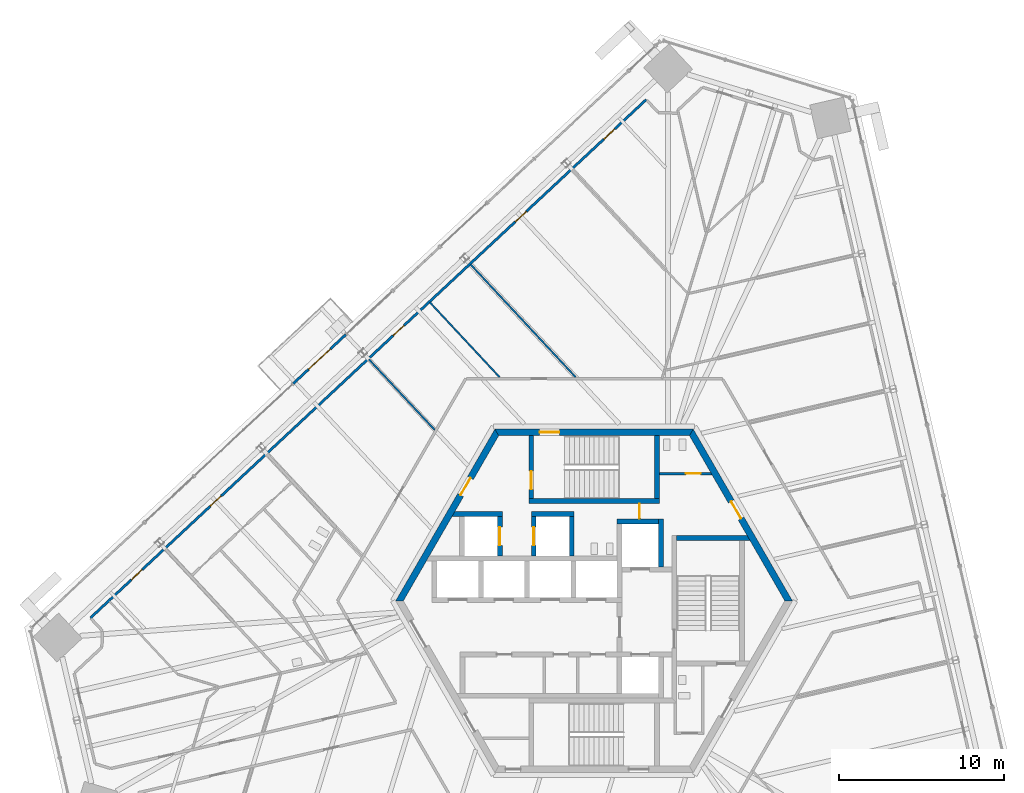
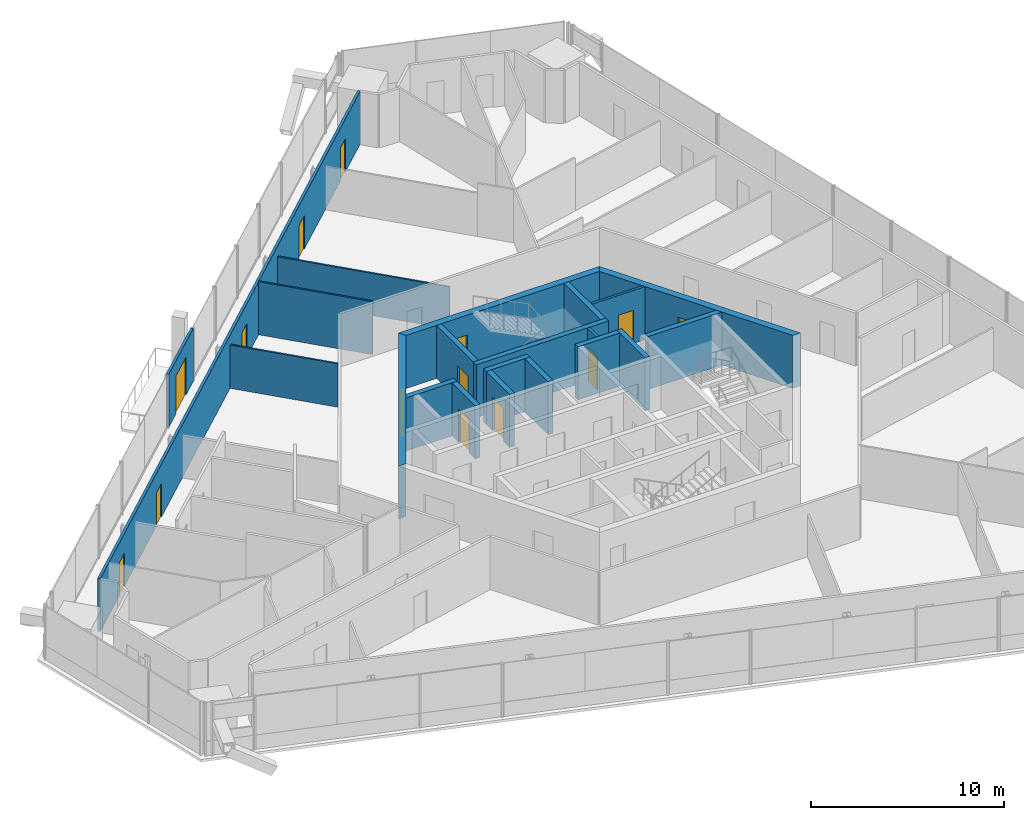
# One storey, part 20 of 25: 21 walls, 14 doors, 14 openings.
"""IFC4 building model written with IfcOpenShell, lengths in metres."""

from ifc_helpers import new_model, si_unit, direction, frame, frame_2d, origin, place, context, subcontext, project, spatial, polyline, rectangle, outline, extrude, source, transform, mapped, material, layer, layer_set, type_object, element, fill, save


model = new_model("IFC4")

# Units and contexts
model_context = context("Model", 3, precision=1e-05, world=origin(), true_north=direction((0.0, 1.0)))
body_context = subcontext(model_context, "Body", "Model", "MODEL_VIEW")
ifc_project = project(units=[si_unit("LENGTHUNIT", "METRE"), si_unit("AREAUNIT", "SQUARE_METRE"), si_unit("VOLUMEUNIT", "CUBIC_METRE"), si_unit("PLANEANGLEUNIT", "RADIAN"), si_unit("MASSUNIT", "GRAM", prefix="KILO")], contexts=[model_context])

# Site, building, storey
site_placement = place(None, origin())
site = spatial("IfcSite", under=ifc_project, at=site_placement, CompositionType="ELEMENT")
building_placement = place(site_placement, origin())
building = spatial("IfcBuilding", under=site, at=building_placement, Name="Triune Harvest Tower", CompositionType="ELEMENT")
storey_placement = place(building_placement, frame((0.0, 0.0, 130.699951171875)))
storey = spatial("IfcBuildingStorey", under=building, at=storey_placement, Name="L33", CompositionType="ELEMENT", Elevation=130.699951171875)

# Walls
ifc_material_1 = material(Name="Gypsum board on steel studs", Category="steel")
ifc_layer_1 = layer(ifc_material_1, 0.10009765625)
ifc_layer_set_1 = layer_set([ifc_layer_1], Name="Gypsum board on steel studs")
wall_type_1 = type_object("IfcWallType", Name="Partition 100 mm", PredefinedType="PARTITIONING", material=ifc_layer_set_1)
wall_1_placement = place(storey_placement, frame((-13.622314453125, 14.608154296875, 0.0), z_axis=(0.0, 0.0, 1.0), x_axis=(0.682001335441, -0.731350927023, 0.0)))
element("IfcWall", 1, at=wall_1_placement, inside=storey, type_object=wall_type_1, Name="Partition L33 019", PredefinedType="PARTITIONING", context=body_context, shape_type="SweptSolid", body=[
    extrude(rectangle(XDim=5.84765625, YDim=0.10009765625, at=frame_2d((2.923828125, 0.0))), origin(), (0.0, 0.0, 1.0), 2.73779296875),
])
wall_2_placement = place(storey_placement, frame((-9.929931640625, 18.051513671875, 0.0), z_axis=(0.0, 0.0, 1.0), x_axis=(0.681973447323, -0.731376932331, 0.0)))
element("IfcWall", 2, at=wall_2_placement, inside=storey, type_object=wall_type_1, Name="Partition L33 022", PredefinedType="PARTITIONING", context=body_context, shape_type="SweptSolid", body=[
    extrude(rectangle(XDim=6.18212890625, YDim=0.10009765625, at=frame_2d((3.091064453125, 0.0))), origin(), (0.0, 0.0, 1.0), 3.35009765625),
])

# Wall, opening, door
ifc_material_2 = material(Name="Aluminium bronze anodised", Category="aluminium")
ifc_layer_2 = layer(ifc_material_2, 0.14990234375)
ifc_layer_set_2 = layer_set([ifc_layer_2], Name="Aluminium bronze anodised")
wall_type_2 = type_object("IfcWallType", Name="WW-2 balcony window wall", PredefinedType="ELEMENTEDWALL", material=ifc_layer_set_2)
wall_3_placement = place(storey_placement, frame((-18.204345703125, 13.138427734375, 0.0), z_axis=(0.0, 0.0, 1.0), x_axis=(0.731351722258, 0.682000482661, 0.0)))
wall_3 = element("IfcWall", 3, at=wall_3_placement, inside=storey, type_object=wall_type_2, Name="WW-2 B3-F3 L33.7", PredefinedType="ELEMENTEDWALL", context=body_context, shape_type="SweptSolid", body=[
    extrude(rectangle(XDim=4.353271484375, YDim=0.14990234375, at=frame_2d((2.1767578125, 0.0))), origin(), (0.0, 0.0, 1.0), 3.35009765625),
])
opening_1_placement = place(wall_3_placement, frame((1.276611328125, 0.0, 0.0)))
opening_1 = element("IfcOpeningElement", 4, at=opening_1_placement, cuts=wall_3, Name="Opening L33-E01", PredefinedType="OPENING", context=body_context, shape_type="SweptSolid", body=[
    extrude(rectangle(XDim=1.800048828125, YDim=2.39990234375, at=frame_2d((0.89990234375, 1.199951171875))), frame((0.0, 0.0849609375, 0.0), z_axis=(0.0, -1.0, 0.0), x_axis=(1.0, 0.0, 0.0)), (0.0, 0.0, 1.0), 0.169921875),
])
ifc_material_3 = material(Name="Glass", Category="glass")
door_type_1 = type_object("IfcDoorType", Name="DB-1 balcony door 1800 x 2400", OperationType="DOUBLE_DOOR_SINGLE_SWING", PredefinedType="DOOR", material=ifc_material_3)
door_1_placement = place(opening_1_placement, origin())
door_1 = element("IfcDoor", 5, at=door_1_placement, inside=storey, type_object=door_type_1, Name="Door L33-E01", OperationType="DOUBLE_DOOR_SINGLE_SWING", OverallHeight=2.39990234375, OverallWidth=1.800048828125, PredefinedType="DOOR", context=body_context, shape_type="SweptSolid", body=[
    extrude(rectangle(XDim=1.800048828125, YDim=2.39990234375, at=frame_2d((0.89990234375, 1.199951171875))), frame((0.0, 0.02490234375, 0.0), z_axis=(0.0, -1.0, 0.0), x_axis=(1.0, 0.0, 0.0)), (0.0, 0.0, 1.0), 0.050048828125),
])
fill(opening_1, door_1)

ifc_material_4 = material(Name="Concrete 70 MPa", Category="concrete")
ifc_layer_3 = layer(ifc_material_4, 0.39990234375)
ifc_layer_set_3 = layer_set([ifc_layer_3], Name="Concrete 70 MPa")
wall_type_3 = type_object("IfcWallType", Name="Core wall 400", PredefinedType="SHEAR", material=ifc_layer_set_3)
shared_shape_1 = source(origin(), body_context, "Body", "SweptSolid", [
    extrude(outline(polyline([(-0.115478515625, -0.199951171875), (11.884521484375, -0.199951171875), (11.653564453125, 0.199951171875), (0.115478515625, 0.199951171875), (-0.115478515625, -0.199951171875)])), origin(), (0.0, 0.0, 1.0), 3.35009765625),
])
wall_4_placement = place(storey_placement, frame((11.76904296875, 0.0, 0.0), z_axis=(0.0, 0.0, 1.0), x_axis=(-0.499996592174, 0.866027371285, 0.0)))
wall_4 = element("IfcWall", 6, at=wall_4_placement, inside=storey, type_object=wall_type_3, Name="Hexagon 0 wall", PredefinedType="SHEAR", context=body_context, shape_type="MappedRepresentation", body=[
    mapped(shared_shape_1, transform((0.0, 0.0, 0.0), scale=1.0)),
])
opening_2_placement = place(wall_4_placement, frame((5.75048828125, 0.0, 0.0)))
opening_2 = element("IfcOpeningElement", 7, at=opening_2_placement, cuts=wall_4, Name="Opening CD-WCP", PredefinedType="OPENING", context=body_context, shape_type="SweptSolid", body=[
    extrude(rectangle(XDim=1.199951171875, YDim=2.10009765625, at=frame_2d((0.60009765625, 1.050048828125))), frame((0.0, 0.2099609375, 0.0), z_axis=(0.0, -1.0, 0.0), x_axis=(1.0, 0.0, 0.0)), (0.0, 0.0, 1.0), 0.419921875),
])
ifc_material_5 = material(Name="Steel S235", Category="steel")
door_type_2 = type_object("IfcDoorType", Name="Lobby door 1200 FD120", OperationType="SINGLE_SWING_LEFT", PredefinedType="DOOR", material=ifc_material_5)
door_2_placement = place(opening_2_placement, frame((1.199951171875, 0.0, 0.0), z_axis=(0.0, 0.0, 1.0), x_axis=(-1.0, 0.0, 0.0)))
door_2 = element("IfcDoor", 8, at=door_2_placement, inside=storey, type_object=door_type_2, Name="Door CD-WCP", OperationType="SINGLE_SWING_RIGHT", OverallHeight=2.10009765625, OverallWidth=1.199951171875, PredefinedType="DOOR", context=body_context, shape_type="SweptSolid", body=[
    extrude(rectangle(XDim=1.199951171875, YDim=2.10009765625, at=frame_2d((0.60009765625, 1.050048828125))), frame((0.0, 0.02490234375, 0.0), z_axis=(0.0, -1.0, 0.0), x_axis=(1.0, 0.0, 0.0)), (0.0, 0.0, 1.0), 0.050048828125),
])
fill(opening_2, door_2)

wall_5_placement = place(storey_placement, frame((5.884521484375, 10.1923828125, 0.0), z_axis=(0.0, 0.0, 1.0), x_axis=(-1.0, 0.0, 0.0)))
wall_5 = element("IfcWall", 9, at=wall_5_placement, inside=storey, type_object=wall_type_3, Name="Hexagon 1 wall", PredefinedType="SHEAR", context=body_context, shape_type="MappedRepresentation", body=[
    mapped(shared_shape_1, transform((0.0, 0.0, 0.0), scale=1.0)),
])
opening_3_placement = place(wall_5_placement, frame((7.984619140625, 0.0, 0.0)))
opening_3 = element("IfcOpeningElement", 10, at=opening_3_placement, cuts=wall_5, Name="Opening CD-S1P", PredefinedType="OPENING", context=body_context, shape_type="SweptSolid", body=[
    extrude(rectangle(XDim=1.199951171875, YDim=2.10009765625, at=frame_2d((0.60009765625, 1.050048828125))), frame((0.0, 0.2099609375, 0.0), z_axis=(0.0, -1.0, 0.0), x_axis=(1.0, 0.0, 0.0)), (0.0, 0.0, 1.0), 0.419921875),
])
ifc_material_6 = material(Name="Steel S235", Category="steel")
door_type_3 = type_object("IfcDoorType", Name="Stair door 1200 FD120", OperationType="SINGLE_SWING_LEFT", PredefinedType="DOOR", material=ifc_material_6)
door_3_placement = place(opening_3_placement, frame((1.199951171875, 0.0, 0.0), z_axis=(0.0, 0.0, 1.0), x_axis=(-1.0, 0.0, 0.0)))
door_3 = element("IfcDoor", 11, at=door_3_placement, inside=storey, type_object=door_type_3, Name="Door CD-S1P", OperationType="SINGLE_SWING_RIGHT", OverallHeight=2.10009765625, OverallWidth=1.199951171875, PredefinedType="DOOR", context=body_context, shape_type="SweptSolid", body=[
    extrude(rectangle(XDim=1.199951171875, YDim=2.10009765625, at=frame_2d((0.60009765625, 1.050048828125))), frame((0.0, 0.02490234375, 0.0), z_axis=(0.0, -1.0, 0.0), x_axis=(1.0, 0.0, 0.0)), (0.0, 0.0, 1.0), 0.050048828125),
])
fill(opening_3, door_3)

wall_6_placement = place(storey_placement, frame((-5.884521484375, 10.1923828125, 0.0), z_axis=(0.0, 0.0, 1.0), x_axis=(-0.499996592174, -0.866027371285, 0.0)))
wall_6 = element("IfcWall", 12, at=wall_6_placement, inside=storey, type_object=wall_type_3, Name="Hexagon 2 wall", PredefinedType="SHEAR", context=body_context, shape_type="MappedRepresentation", body=[
    mapped(shared_shape_1, transform((0.0, 0.0, 0.0), scale=1.0)),
])
opening_4_placement = place(wall_6_placement, frame((3.1845703125, 0.0, 0.0)))
opening_4 = element("IfcOpeningElement", 13, at=opening_4_placement, cuts=wall_6, Name="Opening CD-SVP", PredefinedType="OPENING", context=body_context, shape_type="SweptSolid", body=[
    extrude(rectangle(XDim=1.199951171875, YDim=2.10009765625, at=frame_2d((0.60009765625, 1.050048828125))), frame((0.0, 0.2099609375, 0.0), z_axis=(0.0, -1.0, 0.0), x_axis=(1.0, 0.0, 0.0)), (0.0, 0.0, 1.0), 0.419921875),
])
ifc_material_7 = material(Name="Steel S235", Category="steel")
door_type_4 = type_object("IfcDoorType", Name="Service door 1200 FD120", OperationType="SINGLE_SWING_LEFT", PredefinedType="DOOR", material=ifc_material_7)
door_4_placement = place(opening_4_placement, frame((1.199951171875, 0.0, 0.0), z_axis=(0.0, 0.0, 1.0), x_axis=(-1.0, 0.0, 0.0)))
door_4 = element("IfcDoor", 14, at=door_4_placement, inside=storey, type_object=door_type_4, Name="Door CD-SVP", OperationType="SINGLE_SWING_RIGHT", OverallHeight=2.10009765625, OverallWidth=1.199951171875, PredefinedType="DOOR", context=body_context, shape_type="SweptSolid", body=[
    extrude(rectangle(XDim=1.199951171875, YDim=2.10009765625, at=frame_2d((0.60009765625, 1.050048828125))), frame((0.0, 0.02490234375, 0.0), z_axis=(0.0, -1.0, 0.0), x_axis=(1.0, 0.0, 0.0)), (0.0, 0.0, 1.0), 0.050048828125),
])
fill(opening_4, door_4)

# Walls
ifc_material_8 = material(Name="Concrete 70 MPa", Category="concrete")
ifc_layer_4 = layer(ifc_material_8, 0.300048828125)
ifc_layer_set_4 = layer_set([ifc_layer_4], Name="Concrete 70 MPa")
wall_type_4 = type_object("IfcWallType", Name="Core wall 300", PredefinedType="SHEAR", material=ifc_layer_set_4)
shared_shape_2 = source(origin(), body_context, "Body", "SweptSolid", [
    extrude(rectangle(XDim=2.5, YDim=0.300048828125, at=frame_2d((1.25, 0.0))), origin(), (0.0, 0.0, 1.0), 3.35009765625),
])
wall_7_placement = place(storey_placement, frame((1.39990234375, 4.81005859375, 0.0), z_axis=(0.0, 0.0, 1.0), x_axis=(1.0, 0.0, 0.0)))
element("IfcWall", 15, at=wall_7_placement, inside=storey, type_object=wall_type_4, Name="Ff1 back wall", PredefinedType="SHEAR", context=body_context, shape_type="MappedRepresentation", body=[
    mapped(shared_shape_2, transform((0.0, 0.0, 0.0), scale=1.0)),
])
shared_shape_3 = source(origin(), body_context, "Body", "SweptSolid", [
    extrude(rectangle(XDim=2.89990234375, YDim=0.300048828125, at=frame_2d((1.449951171875, 0.0))), origin(), (0.0, 0.0, 1.0), 3.35009765625),
])
wall_8_placement = place(storey_placement, frame((4.050048828125, 2.06005859375, 0.0), z_axis=(0.0, 0.0, 1.0), x_axis=(0.0, 1.0, 0.0)))
element("IfcWall", 16, at=wall_8_placement, inside=storey, type_object=wall_type_4, Name="Ff1 east wall", PredefinedType="SHEAR", context=body_context, shape_type="MappedRepresentation", body=[
    mapped(shared_shape_3, transform((0.0, 0.0, 0.0), scale=1.0)),
])
shared_shape_4 = source(origin(), body_context, "Body", "SweptSolid", [
    extrude(outline(polyline([(0.0, -0.14990234375), (0.0, 0.14990234375), (4.260009765625, 0.14990234375), (4.43310546875, -0.14990234375), (0.0, -0.14990234375)])), origin(), (0.0, 0.0, 1.0), 3.35009765625),
])
wall_9_placement = place(storey_placement, frame((5.0, 3.800048828125, 0.0), z_axis=(0.0, 0.0, 1.0), x_axis=(1.0, 0.0, 0.0)))
element("IfcWall", 17, at=wall_9_placement, inside=storey, type_object=wall_type_4, Name="Stair e north wall", PredefinedType="SHEAR", context=body_context, shape_type="MappedRepresentation", body=[
    mapped(shared_shape_4, transform((0.0, 0.0, 0.0), scale=1.0)),
])
shared_shape_5 = source(origin(), body_context, "Body", "SweptSolid", [
    extrude(rectangle(XDim=7.89990234375, YDim=0.300048828125, at=frame_2d((3.949951171875, 0.0))), origin(), (0.0, 0.0, 1.0), 3.35009765625),
])
wall_10_placement = place(storey_placement, frame((-3.949951171875, 6.0400390625, 0.0), z_axis=(0.0, 0.0, 1.0), x_axis=(1.0, 0.0, 0.0)))
element("IfcWall", 18, at=wall_10_placement, inside=storey, type_object=wall_type_4, Name="Stair n south wall", PredefinedType="SHEAR", context=body_context, shape_type="MappedRepresentation", body=[
    mapped(shared_shape_5, transform((0.0, 0.0, 0.0), scale=1.0)),
])

# Wall, opening, door
shared_shape_6 = source(origin(), body_context, "Body", "SweptSolid", [
    extrude(outline(polyline([(0.0, -0.14990234375), (0.0, 0.14990234375), (3.80419921875, 0.14990234375), (3.80419921875, -0.14990234375), (0.0, -0.14990234375)])), origin(), (0.0, 0.0, 1.0), 3.35009765625),
])
wall_11_placement = place(storey_placement, frame((-3.800048828125, 6.18994140625, 0.0), z_axis=(0.0, 0.0, 1.0), x_axis=(0.0, 1.0, 0.0)))
wall_11 = element("IfcWall", 19, at=wall_11_placement, inside=storey, type_object=wall_type_4, Name="Stair n west wall", PredefinedType="SHEAR", context=body_context, shape_type="MappedRepresentation", body=[
    mapped(shared_shape_6, transform((0.0, 0.0, 0.0), scale=1.0)),
])
opening_5_placement = place(wall_11_placement, frame((0.56005859375, 0.0, 0.0)))
opening_5 = element("IfcOpeningElement", 20, at=opening_5_placement, cuts=wall_11, Name="Opening CD-S1L", PredefinedType="OPENING", context=body_context, shape_type="SweptSolid", body=[
    extrude(rectangle(XDim=1.10009765625, YDim=2.10009765625, at=frame_2d((0.550048828125, 1.050048828125))), frame((0.0, 0.16015625, 0.0), z_axis=(0.0, -1.0, 0.0), x_axis=(1.0, 0.0, 0.0)), (0.0, 0.0, 1.0), 0.320068359375),
])
ifc_material_9 = material(Name="Steel S235", Category="steel")
door_type_5 = type_object("IfcDoorType", Name="Stair door 1100 FD120", OperationType="SINGLE_SWING_LEFT", PredefinedType="DOOR", material=ifc_material_9)
door_5_placement = place(opening_5_placement, frame((1.10009765625, 0.0, 0.0), z_axis=(0.0, 0.0, 1.0), x_axis=(-1.0, 0.0, 0.0)))
door_5 = element("IfcDoor", 21, at=door_5_placement, inside=storey, type_object=door_type_5, Name="Door CD-S1L", OperationType="SINGLE_SWING_RIGHT", OverallHeight=2.10009765625, OverallWidth=1.10009765625, PredefinedType="DOOR", context=body_context, shape_type="SweptSolid", body=[
    extrude(rectangle(XDim=1.10009765625, YDim=2.10009765625, at=frame_2d((0.550048828125, 1.050048828125))), frame((0.0, 0.02490234375, 0.0), z_axis=(0.0, -1.0, 0.0), x_axis=(1.0, 0.0, 0.0)), (0.0, 0.0, 1.0), 0.050048828125),
])
fill(opening_5, door_5)

# Walls
wall_12_placement = place(storey_placement, frame((3.800048828125, 6.18994140625, 0.0), z_axis=(0.0, 0.0, 1.0), x_axis=(0.0, 1.0, 0.0)))
element("IfcWall", 22, at=wall_12_placement, inside=storey, type_object=wall_type_4, Name="Stair n east wall", PredefinedType="SHEAR", context=body_context, shape_type="MappedRepresentation", body=[
    mapped(shared_shape_6, transform((0.0, 0.0, 0.0), scale=1.0)),
])
shared_shape_7 = source(origin(), body_context, "Body", "SweptSolid", [
    extrude(outline(polyline([(2.60009765625, -0.14990234375), (-0.440185546875, -0.14990234375), (-0.26708984375, 0.14990234375), (2.60009765625, 0.14990234375), (2.60009765625, -0.14990234375)])), origin(), (0.0, 0.0, 1.0), 3.35009765625),
])
wall_13_placement = place(storey_placement, frame((-8.14990234375, 5.260009765625, 0.0), z_axis=(0.0, 0.0, 1.0), x_axis=(1.0, 0.0, 0.0)))
element("IfcWall", 23, at=wall_13_placement, inside=storey, type_object=wall_type_4, Name="Sv1 north wall", PredefinedType="SHEAR", context=body_context, shape_type="MappedRepresentation", body=[
    mapped(shared_shape_7, transform((0.0, 0.0, 0.0), scale=1.0)),
])

# Wall, opening, door
shared_shape_8 = source(origin(), body_context, "Body", "SweptSolid", [
    extrude(rectangle(XDim=2.400146484375, YDim=0.300048828125, at=frame_2d((1.2001953125, 0.0))), origin(), (0.0, 0.0, 1.0), 3.35009765625),
])
wall_14_placement = place(storey_placement, frame((-5.699951171875, 2.7099609375, 0.0), z_axis=(0.0, 0.0, 1.0), x_axis=(0.0, 1.0, 0.0)))
wall_14 = element("IfcWall", 24, at=wall_14_placement, inside=storey, type_object=wall_type_4, Name="Sv1 east wall", PredefinedType="SHEAR", context=body_context, shape_type="MappedRepresentation", body=[
    mapped(shared_shape_8, transform((0.0, 0.0, 0.0), scale=1.0)),
])
opening_6_placement = place(wall_14_placement, frame((0.64990234375, 0.0, 0.0)))
opening_6 = element("IfcOpeningElement", 25, at=opening_6_placement, cuts=wall_14, Name="Opening LD-SV1-33", PredefinedType="OPENING", context=body_context, shape_type="SweptSolid", body=[
    extrude(rectangle(XDim=1.10009765625, YDim=2.10009765625, at=frame_2d((0.550048828125, 1.050048828125))), frame((0.0, 0.16015625, 0.0), z_axis=(0.0, -1.0, 0.0), x_axis=(1.0, 0.0, 0.0)), (0.0, 0.0, 1.0), 0.320068359375),
])
ifc_material_10 = material(Name="Stainless steel AISI 304", Category="steel")
door_type_6 = type_object("IfcDoorType", Name="Landing door 1100 x 2100", OperationType="DOUBLE_DOOR_SLIDING", PredefinedType="DOOR", material=ifc_material_10)
door_6_placement = place(opening_6_placement, origin())
door_6 = element("IfcDoor", 26, at=door_6_placement, inside=storey, type_object=door_type_6, Name="Door LD-SV1-33", OperationType="DOUBLE_DOOR_SLIDING", OverallHeight=2.10009765625, OverallWidth=1.10009765625, PredefinedType="DOOR", context=body_context, shape_type="SweptSolid", body=[
    extrude(rectangle(XDim=1.10009765625, YDim=2.10009765625, at=frame_2d((0.550048828125, 1.050048828125))), frame((0.0, 0.02490234375, 0.0), z_axis=(0.0, -1.0, 0.0), x_axis=(1.0, 0.0, 0.0)), (0.0, 0.0, 1.0), 0.050048828125),
])
fill(opening_6, door_6)

wall_15_placement = place(storey_placement, frame((-3.64990234375, 2.7099609375, 0.0), z_axis=(0.0, 0.0, 1.0), x_axis=(0.0, 1.0, 0.0)))
wall_15 = element("IfcWall", 27, at=wall_15_placement, inside=storey, type_object=wall_type_4, Name="Sv2 west wall", PredefinedType="SHEAR", context=body_context, shape_type="MappedRepresentation", body=[
    mapped(shared_shape_8, transform((0.0, 0.0, 0.0), scale=1.0)),
])
opening_7_placement = place(wall_15_placement, frame((0.64990234375, 0.0, 0.0)))
opening_7 = element("IfcOpeningElement", 28, at=opening_7_placement, cuts=wall_15, Name="Opening LD-SV2-33", PredefinedType="OPENING", context=body_context, shape_type="SweptSolid", body=[
    extrude(rectangle(XDim=1.10009765625, YDim=2.10009765625, at=frame_2d((0.550048828125, 1.050048828125))), frame((0.0, 0.16015625, 0.0), z_axis=(0.0, -1.0, 0.0), x_axis=(1.0, 0.0, 0.0)), (0.0, 0.0, 1.0), 0.320068359375),
])
door_7_placement = place(opening_7_placement, origin())
door_7 = element("IfcDoor", 29, at=door_7_placement, inside=storey, type_object=door_type_6, Name="Door LD-SV2-33", OperationType="DOUBLE_DOOR_SLIDING", OverallHeight=2.10009765625, OverallWidth=1.10009765625, PredefinedType="DOOR", context=body_context, shape_type="SweptSolid", body=[
    extrude(rectangle(XDim=1.10009765625, YDim=2.10009765625, at=frame_2d((0.550048828125, 1.050048828125))), frame((0.0, 0.02490234375, 0.0), z_axis=(0.0, -1.0, 0.0), x_axis=(1.0, 0.0, 0.0)), (0.0, 0.0, 1.0), 0.050048828125),
])
fill(opening_7, door_7)

# Walls
wall_16_placement = place(storey_placement, frame((-1.35009765625, 2.7099609375, 0.0), z_axis=(0.0, 0.0, 1.0), x_axis=(0.0, 1.0, 0.0)))
element("IfcWall", 30, at=wall_16_placement, inside=storey, type_object=wall_type_4, Name="Sv2 east wall", PredefinedType="SHEAR", context=body_context, shape_type="MappedRepresentation", body=[
    mapped(shared_shape_8, transform((0.0, 0.0, 0.0), scale=1.0)),
])
shared_shape_9 = source(origin(), body_context, "Body", "SweptSolid", [
    extrude(rectangle(XDim=2.60009765625, YDim=0.300048828125, at=frame_2d((1.300048828125, 0.0))), origin(), (0.0, 0.0, 1.0), 3.35009765625),
])
wall_17_placement = place(storey_placement, frame((-3.800048828125, 5.260009765625, 0.0), z_axis=(0.0, 0.0, 1.0), x_axis=(1.0, 0.0, 0.0)))
element("IfcWall", 31, at=wall_17_placement, inside=storey, type_object=wall_type_4, Name="Sv2 north wall", PredefinedType="SHEAR", context=body_context, shape_type="MappedRepresentation", body=[
    mapped(shared_shape_9, transform((0.0, 0.0, 0.0), scale=1.0)),
])

# Wall, opening, door
ifc_material_11 = material(Name="Concrete masonry unit", Category="masonry")
ifc_layer_5 = layer(ifc_material_11, 0.14990234375)
ifc_layer_set_5 = layer_set([ifc_layer_5], Name="Concrete masonry unit")
wall_type_5 = type_object("IfcWallType", Name="Block partition 150 unrated", PredefinedType="PARTITIONING", material=ifc_layer_set_5)
shared_shape_10 = source(origin(), body_context, "Body", "SweptSolid", [
    extrude(outline(polyline([(0.0, -0.074951171875), (0.0, 0.074951171875), (3.1015625, 0.074951171875), (3.18798828125, -0.074951171875), (0.0, -0.074951171875)])), origin(), (0.0, 0.0, 1.0), 3.35009765625),
])
wall_18_placement = place(storey_placement, frame((3.949951171875, 7.699951171875, 0.0), z_axis=(0.0, 0.0, 1.0), x_axis=(1.0, 0.0, 0.0)))
wall_18 = element("IfcWall", 32, at=wall_18_placement, inside=storey, type_object=wall_type_5, Name="Wc women south wall", PredefinedType="PARTITIONING", context=body_context, shape_type="MappedRepresentation", body=[
    mapped(shared_shape_10, transform((0.0, 0.0, 0.0), scale=1.0)),
])
opening_8_placement = place(wall_18_placement, frame((1.60009765625, 0.0, 0.0)))
opening_8 = element("IfcOpeningElement", 33, at=opening_8_placement, cuts=wall_18, Name="Opening CD-WW", PredefinedType="OPENING", context=body_context, shape_type="SweptSolid", body=[
    extrude(rectangle(XDim=0.89990234375, YDim=2.10009765625, at=frame_2d((0.449951171875, 1.050048828125))), frame((0.0, 0.0849609375, 0.0), z_axis=(0.0, -1.0, 0.0), x_axis=(1.0, 0.0, 0.0)), (0.0, 0.0, 1.0), 0.169921875),
])
ifc_material_12 = material(Name="Timber C24", Category="wood")
door_type_7 = type_object("IfcDoorType", Name="WC door 900", OperationType="SINGLE_SWING_LEFT", PredefinedType="DOOR", material=ifc_material_12)
door_8_placement = place(opening_8_placement, origin())
door_8 = element("IfcDoor", 34, at=door_8_placement, inside=storey, type_object=door_type_7, Name="Door CD-WW", OperationType="SINGLE_SWING_LEFT", OverallHeight=2.10009765625, OverallWidth=0.89990234375, PredefinedType="DOOR", context=body_context, shape_type="SweptSolid", body=[
    extrude(rectangle(XDim=0.89990234375, YDim=2.10009765625, at=frame_2d((0.449951171875, 1.050048828125))), frame((0.0, 0.02490234375, 0.0), z_axis=(0.0, -1.0, 0.0), x_axis=(1.0, 0.0, 0.0)), (0.0, 0.0, 1.0), 0.050048828125),
])
fill(opening_8, door_8)

shared_shape_11 = source(origin(), body_context, "Body", "SweptSolid", [
    extrude(rectangle(XDim=0.929931640625, YDim=0.14990234375, at=frame_2d((0.46484375, 0.0))), origin(), (0.0, 0.0, 1.0), 3.35009765625),
])
wall_19_placement = place(storey_placement, frame((2.75, 4.9599609375, 0.0), z_axis=(0.0, 0.0, 1.0), x_axis=(0.0, 1.0, 0.0)))
wall_19 = element("IfcWall", 35, at=wall_19_placement, inside=storey, type_object=wall_type_5, Name="Wc men east b wall", PredefinedType="PARTITIONING", context=body_context, shape_type="MappedRepresentation", body=[
    mapped(shared_shape_11, transform((0.0, 0.0, 0.0), scale=1.0)),
])
opening_9_placement = place(wall_19_placement, frame((0.014892578125, 0.0, 0.0)))
opening_9 = element("IfcOpeningElement", 36, at=opening_9_placement, cuts=wall_19, Name="Opening CD-WM", PredefinedType="OPENING", context=body_context, shape_type="SweptSolid", body=[
    extrude(rectangle(XDim=0.89990234375, YDim=2.10009765625, at=frame_2d((0.449951171875, 1.050048828125))), frame((0.0, 0.0849609375, 0.0), z_axis=(0.0, -1.0, 0.0), x_axis=(1.0, 0.0, 0.0)), (0.0, 0.0, 1.0), 0.169921875),
])
door_9_placement = place(opening_9_placement, origin())
door_9 = element("IfcDoor", 37, at=door_9_placement, inside=storey, type_object=door_type_7, Name="Door CD-WM", OperationType="SINGLE_SWING_LEFT", OverallHeight=2.10009765625, OverallWidth=0.89990234375, PredefinedType="DOOR", context=body_context, shape_type="SweptSolid", body=[
    extrude(rectangle(XDim=0.89990234375, YDim=2.10009765625, at=frame_2d((0.449951171875, 1.050048828125))), frame((0.0, 0.02490234375, 0.0), z_axis=(0.0, -1.0, 0.0), x_axis=(1.0, 0.0, 0.0)), (0.0, 0.0, 1.0), 0.050048828125),
])
fill(opening_9, door_9)

# Wall
shared_shape_12 = source(origin(), body_context, "Body", "SweptSolid", [
    extrude(rectangle(XDim=9.320556640625, YDim=0.10009765625, at=frame_2d((4.66015625, 0.0))), origin(), (0.0, 0.0, 1.0), 2.666748046875),
])
wall_20_placement = place(storey_placement, frame((-7.468505859375, 20.3466796875, 0.0), z_axis=(0.0, 0.0, 1.0), x_axis=(0.682001810527, -0.731350483993, 0.0)))
element("IfcWall", 38, at=wall_20_placement, inside=storey, type_object=wall_type_1, Name="Partition L33 023", PredefinedType="PARTITIONING", context=body_context, shape_type="MappedRepresentation", body=[
    mapped(shared_shape_12, transform((0.0, 0.0, 0.0), scale=1.0)),
])

# Wall, openings, doors
ifc_material_13 = material(Name="Gypsum board on steel studs", Category="steel")
ifc_layer_6 = layer(ifc_material_13, 0.14990234375)
ifc_layer_set_6 = layer_set([ifc_layer_6], Name="Gypsum board on steel studs")
wall_type_6 = type_object("IfcWallType", Name="Fire Partition 150 mm", PredefinedType="PARTITIONING", material=ifc_layer_set_6)
shared_shape_13 = source(origin(), body_context, "Body", "SweptSolid", [
    extrude(rectangle(XDim=45.9765625, YDim=0.14990234375, at=frame_2d((22.98828125, 0.0))), origin(), (0.0, 0.0, 1.0), 3.35009765625),
])
wall_21_placement = place(storey_placement, frame((-30.468994140625, -1.033203125, 0.0), z_axis=(0.0, 0.0, 1.0), x_axis=(0.731349563946, 0.682002797147, 0.0)))
wall_21 = element("IfcWall", 39, at=wall_21_placement, inside=storey, type_object=wall_type_6, Name="Partition L33 060", PredefinedType="PARTITIONING", context=body_context, shape_type="MappedRepresentation", body=[
    mapped(shared_shape_13, transform((0.0, 0.0, 0.0), scale=1.0)),
])
opening_10_placement = place(wall_21_placement, frame((42.467041015625, 0.0, 0.0)))
opening_10 = element("IfcOpeningElement", 40, at=opening_10_placement, cuts=wall_21, Name="Opening L33-012", PredefinedType="OPENING", context=body_context, shape_type="SweptSolid", body=[
    extrude(rectangle(XDim=0.89990234375, YDim=2.10009765625, at=frame_2d((0.449951171875, 1.050048828125))), frame((0.0, 0.0849609375, 0.0), z_axis=(0.0, -1.0, 0.0), x_axis=(1.0, 0.0, 0.0)), (0.0, 0.0, 1.0), 0.169921875),
])
opening_11_placement = place(wall_21_placement, frame((35.152587890625, 0.0, 0.0)))
opening_11 = element("IfcOpeningElement", 41, at=opening_11_placement, cuts=wall_21, Name="Opening L33-013", PredefinedType="OPENING", context=body_context, shape_type="SweptSolid", body=[
    extrude(rectangle(XDim=0.89990234375, YDim=2.10009765625, at=frame_2d((0.449951171875, 1.050048828125))), frame((0.0, 0.0849609375, 0.0), z_axis=(0.0, -1.0, 0.0), x_axis=(1.0, 0.0, 0.0)), (0.0, 0.0, 1.0), 0.169921875),
])
opening_12_placement = place(wall_21_placement, frame((25.0380859375, 0.0, 0.0)))
opening_12 = element("IfcOpeningElement", 42, at=opening_12_placement, cuts=wall_21, Name="Opening L33-014", PredefinedType="OPENING", context=body_context, shape_type="SweptSolid", body=[
    extrude(rectangle(XDim=0.89990234375, YDim=2.10009765625, at=frame_2d((0.449951171875, 1.050048828125))), frame((0.0, 0.0849609375, 0.0), z_axis=(0.0, -1.0, 0.0), x_axis=(1.0, 0.0, 0.0)), (0.0, 0.0, 1.0), 0.169921875),
])
opening_13_placement = place(wall_21_placement, frame((9.9091796875, 0.0, 0.0)))
opening_13 = element("IfcOpeningElement", 43, at=opening_13_placement, cuts=wall_21, Name="Opening L33-017", PredefinedType="OPENING", context=body_context, shape_type="SweptSolid", body=[
    extrude(rectangle(XDim=0.89990234375, YDim=2.10009765625, at=frame_2d((0.449951171875, 1.050048828125))), frame((0.0, 0.0849609375, 0.0), z_axis=(0.0, -1.0, 0.0), x_axis=(1.0, 0.0, 0.0)), (0.0, 0.0, 1.0), 0.169921875),
])
opening_14_placement = place(wall_21_placement, frame((3.38134765625, 0.0, 0.0)))
opening_14 = element("IfcOpeningElement", 44, at=opening_14_placement, cuts=wall_21, Name="Opening L33-022", PredefinedType="OPENING", context=body_context, shape_type="SweptSolid", body=[
    extrude(rectangle(XDim=0.89990234375, YDim=2.10009765625, at=frame_2d((0.449951171875, 1.050048828125))), frame((0.0, 0.0849609375, 0.0), z_axis=(0.0, -1.0, 0.0), x_axis=(1.0, 0.0, 0.0)), (0.0, 0.0, 1.0), 0.169921875),
])
ifc_material_14 = material(Name="Timber and steel door set", Category="steel")
door_type_8 = type_object("IfcDoorType", Name="Single leaf door FD30 left hand 900 x 2100", OperationType="SINGLE_SWING_LEFT", PredefinedType="DOOR", material=ifc_material_14)
door_10_placement = place(opening_10_placement, origin())
door_10 = element("IfcDoor", 45, at=door_10_placement, inside=storey, type_object=door_type_8, Name="Door L33-012 Project Room 33.12", OperationType="SINGLE_SWING_LEFT", OverallHeight=2.10009765625, OverallWidth=0.89990234375, PredefinedType="DOOR", context=body_context, shape_type="SweptSolid", body=[
    extrude(rectangle(XDim=0.89990234375, YDim=2.10009765625, at=frame_2d((0.449951171875, 1.050048828125))), frame((0.0, 0.02490234375, 0.0), z_axis=(0.0, -1.0, 0.0), x_axis=(1.0, 0.0, 0.0)), (0.0, 0.0, 1.0), 0.050048828125),
])
fill(opening_10, door_10)
door_11_placement = place(opening_11_placement, origin())
door_11 = element("IfcDoor", 46, at=door_11_placement, inside=storey, type_object=door_type_8, Name="Door L33-013 Open Office 33.13", OperationType="SINGLE_SWING_LEFT", OverallHeight=2.10009765625, OverallWidth=0.89990234375, PredefinedType="DOOR", context=body_context, shape_type="SweptSolid", body=[
    extrude(rectangle(XDim=0.89990234375, YDim=2.10009765625, at=frame_2d((0.449951171875, 1.050048828125))), frame((0.0, 0.02490234375, 0.0), z_axis=(0.0, -1.0, 0.0), x_axis=(1.0, 0.0, 0.0)), (0.0, 0.0, 1.0), 0.050048828125),
])
fill(opening_11, door_11)
door_12_placement = place(opening_12_placement, origin())
door_12 = element("IfcDoor", 47, at=door_12_placement, inside=storey, type_object=door_type_8, Name="Door L33-014 Office 33.14", OperationType="SINGLE_SWING_LEFT", OverallHeight=2.10009765625, OverallWidth=0.89990234375, PredefinedType="DOOR", context=body_context, shape_type="SweptSolid", body=[
    extrude(rectangle(XDim=0.89990234375, YDim=2.10009765625, at=frame_2d((0.449951171875, 1.050048828125))), frame((0.0, 0.02490234375, 0.0), z_axis=(0.0, -1.0, 0.0), x_axis=(1.0, 0.0, 0.0)), (0.0, 0.0, 1.0), 0.050048828125),
])
fill(opening_12, door_12)
ifc_material_15 = material(Name="Timber and steel door set", Category="steel")
door_type_9 = type_object("IfcDoorType", Name="Single leaf door FD30 right hand 900 x 2100", OperationType="SINGLE_SWING_RIGHT", PredefinedType="DOOR", material=ifc_material_15)
door_13_placement = place(opening_13_placement, origin())
door_13 = element("IfcDoor", 48, at=door_13_placement, inside=storey, type_object=door_type_9, Name="Door L33-017 WC lobby 33.17", OperationType="SINGLE_SWING_RIGHT", OverallHeight=2.10009765625, OverallWidth=0.89990234375, PredefinedType="DOOR", context=body_context, shape_type="SweptSolid", body=[
    extrude(rectangle(XDim=0.89990234375, YDim=2.10009765625, at=frame_2d((0.449951171875, 1.050048828125))), frame((0.0, 0.02490234375, 0.0), z_axis=(0.0, -1.0, 0.0), x_axis=(1.0, 0.0, 0.0)), (0.0, 0.0, 1.0), 0.050048828125),
])
fill(opening_13, door_13)
door_14_placement = place(opening_14_placement, origin())
door_14 = element("IfcDoor", 49, at=door_14_placement, inside=storey, type_object=door_type_9, Name="Door L33-022 Office 33.22", OperationType="SINGLE_SWING_RIGHT", OverallHeight=2.10009765625, OverallWidth=0.89990234375, PredefinedType="DOOR", context=body_context, shape_type="SweptSolid", body=[
    extrude(rectangle(XDim=0.89990234375, YDim=2.10009765625, at=frame_2d((0.449951171875, 1.050048828125))), frame((0.0, 0.02490234375, 0.0), z_axis=(0.0, -1.0, 0.0), x_axis=(1.0, 0.0, 0.0)), (0.0, 0.0, 1.0), 0.050048828125),
])
fill(opening_14, door_14)

save(model, "model.ifc")
